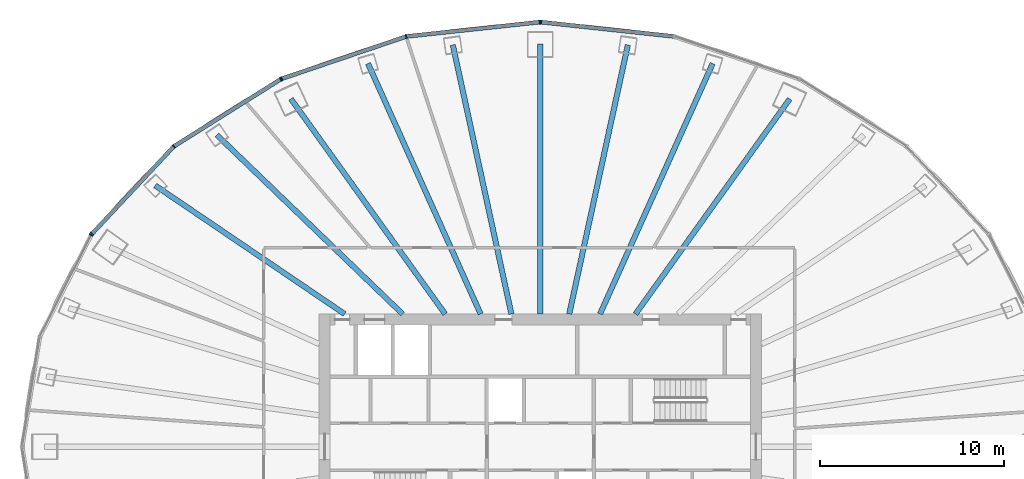
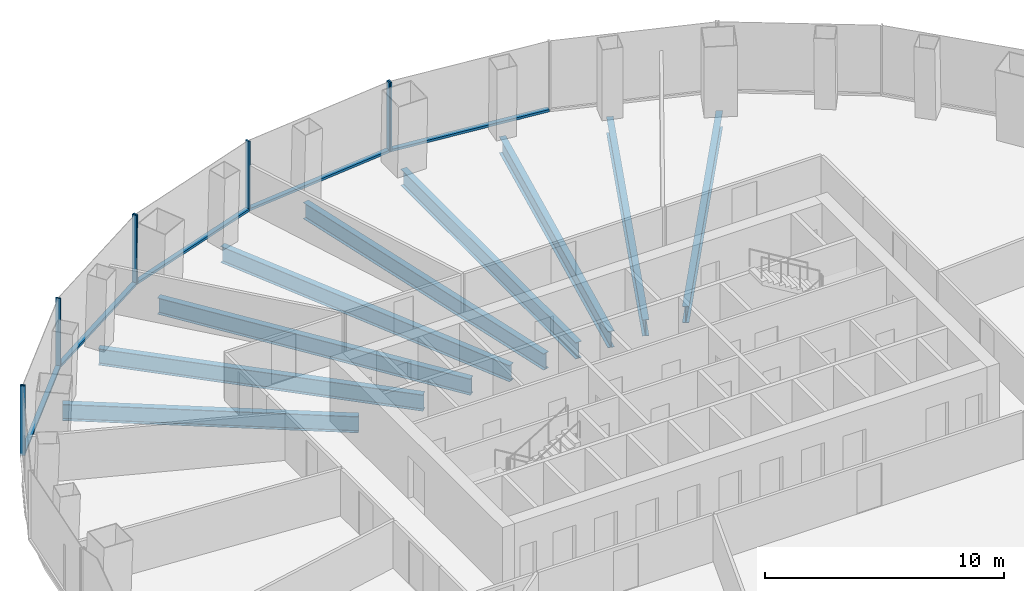
# One storey, part 5 of 11: 13 members, 9 beams, 4 elements without a shape of their own.
"""IFC4 building model written with IfcOpenShell, lengths in metres."""

from ifc_helpers import new_model, si_unit, direction, frame, origin, origin_2d, place, context, subcontext, project, spatial, rectangle, i_section, extrude, material, layer, layer_set, material_profile, profile_set, type_object, element, aggregate, save


model = new_model("IFC4")

# Units and contexts
model_context = context("Model", 3, precision=1e-05, world=origin(), true_north=direction((0.0, 1.0)))
body_context = subcontext(model_context, "Body", "Model", "MODEL_VIEW")
ifc_project = project(units=[si_unit("LENGTHUNIT", "METRE"), si_unit("AREAUNIT", "SQUARE_METRE"), si_unit("VOLUMEUNIT", "CUBIC_METRE"), si_unit("PLANEANGLEUNIT", "RADIAN"), si_unit("MASSUNIT", "GRAM", prefix="KILO")], contexts=[model_context])

# Site, building, storey
site_placement = place(None, origin())
site = spatial("IfcSite", under=ifc_project, at=site_placement, CompositionType="ELEMENT")
building_placement = place(site_placement, origin())
building = spatial("IfcBuilding", under=site, at=building_placement, Name="Siaravel Broadcast Tower", CompositionType="ELEMENT")
storey_placement = place(building_placement, frame((0.0, 0.0, 44.5)))
storey = spatial("IfcBuildingStorey", under=building, at=storey_placement, Name="L09", CompositionType="ELEMENT", Elevation=44.5)

# Beams
ifc_material_1 = material(Name="Steel S355", Category="steel")
ifc_material_profile_1 = material_profile(ifc_material_1, i_section(OverallWidth=0.291748046875, OverallDepth=0.8349609375, WebThickness=0.013916015625, FlangeThickness=0.018798828125, FilletRadius=0.017822265625, at=origin_2d()))
ifc_profile_set_1 = profile_set([ifc_material_profile_1], Name="Steel S355")
beam_type = type_object("IfcBeamType", Name="BM-UB 838x292x176", PredefinedType="BEAM", material=ifc_profile_set_1)
beam_1_placement = place(storey_placement, frame((13.53076171875, 18.869384765625, -0.5673828125), z_axis=(-0.582740953, -0.812657974, 0.0), x_axis=(0.812657974, -0.582740953, 0.0)))
element("IfcBeam", 1, at=beam_1_placement, inside=storey, type_object=beam_type, Name="Radial beam RB07", PredefinedType="BEAM", context=body_context, shape_type="SweptSolid", body=[
    extrude(i_section(OverallWidth=0.291748046875, OverallDepth=0.8349609375, WebThickness=0.013916015625, FlangeThickness=0.018798828125, FilletRadius=0.017822265625, at=origin_2d()), origin(), (0.0, 0.0, 1.0), 14.359619140625),
])
beam_2_placement = place(storey_placement, frame((9.3486328125, 20.787109375, -0.5673828125), z_axis=(-0.410162294, -0.912012551, 0.0), x_axis=(0.912012551, -0.410162294, 0.0)))
element("IfcBeam", 2, at=beam_2_placement, inside=storey, type_object=beam_type, Name="Radial beam RB08", PredefinedType="BEAM", context=body_context, shape_type="SweptSolid", body=[
    extrude(i_section(OverallWidth=0.291748046875, OverallDepth=0.8349609375, WebThickness=0.013916015625, FlangeThickness=0.018798828125, FilletRadius=0.017822265625, at=origin_2d()), origin(), (0.0, 0.0, 1.0), 14.89794921875),
])
beam_3_placement = place(storey_placement, frame((4.748291015625, 21.796630859375, -0.5673828125), z_axis=(-0.212844855, -0.977086008, 0.0), x_axis=(0.977086008, -0.212844855, 0.0)))
element("IfcBeam", 3, at=beam_3_placement, inside=storey, type_object=beam_type, Name="Radial beam RB09", PredefinedType="BEAM", context=body_context, shape_type="SweptSolid", body=[
    extrude(i_section(OverallWidth=0.291748046875, OverallDepth=0.8349609375, WebThickness=0.013916015625, FlangeThickness=0.018798828125, FilletRadius=0.017822265625, at=origin_2d()), origin(), (0.0, 0.0, 1.0), 14.93896484375),
])
beam_4_placement = place(storey_placement, frame((0.0, 21.8369140625, -0.5673828125), z_axis=(0.0, -1.0, 0.0), x_axis=(1.0, 0.0, 0.0)))
element("IfcBeam", 4, at=beam_4_placement, inside=storey, type_object=beam_type, Name="Radial beam RB10", PredefinedType="BEAM", context=body_context, shape_type="SweptSolid", body=[
    extrude(i_section(OverallWidth=0.291748046875, OverallDepth=0.8349609375, WebThickness=0.013916015625, FlangeThickness=0.018798828125, FilletRadius=0.017822265625, at=origin_2d()), origin(), (0.0, 0.0, 1.0), 14.636962890625),
])
beam_5_placement = place(storey_placement, frame((-4.748291015625, 21.796630859375, -0.5673828125), z_axis=(0.212844855, -0.977086008, 0.0), x_axis=(0.977086008, 0.212844855, 0.0)))
element("IfcBeam", 5, at=beam_5_placement, inside=storey, type_object=beam_type, Name="Radial beam RB11", PredefinedType="BEAM", context=body_context, shape_type="SweptSolid", body=[
    extrude(i_section(OverallWidth=0.291748046875, OverallDepth=0.8349609375, WebThickness=0.013916015625, FlangeThickness=0.018798828125, FilletRadius=0.017822265625, at=origin_2d()), origin(), (0.0, 0.0, 1.0), 14.93896484375),
])
beam_6_placement = place(storey_placement, frame((-9.3486328125, 20.787109375, -0.5673828125), z_axis=(0.410162294, -0.912012551, 0.0), x_axis=(0.912012551, 0.410162294, 0.0)))
element("IfcBeam", 6, at=beam_6_placement, inside=storey, type_object=beam_type, Name="Radial beam RB12", PredefinedType="BEAM", context=body_context, shape_type="SweptSolid", body=[
    extrude(i_section(OverallWidth=0.291748046875, OverallDepth=0.8349609375, WebThickness=0.013916015625, FlangeThickness=0.018798828125, FilletRadius=0.017822265625, at=origin_2d()), origin(), (0.0, 0.0, 1.0), 14.89794921875),
])
beam_7_placement = place(storey_placement, frame((-13.53076171875, 18.869384765625, -0.5673828125), z_axis=(0.582740953, -0.812657974, 0.0), x_axis=(0.812657974, 0.582740953, 0.0)))
element("IfcBeam", 7, at=beam_7_placement, inside=storey, type_object=beam_type, Name="Radial beam RB13", PredefinedType="BEAM", context=body_context, shape_type="SweptSolid", body=[
    extrude(i_section(OverallWidth=0.291748046875, OverallDepth=0.8349609375, WebThickness=0.013916015625, FlangeThickness=0.018798828125, FilletRadius=0.017822265625, at=origin_2d()), origin(), (0.0, 0.0, 1.0), 14.359619140625),
])
beam_8_placement = place(storey_placement, frame((-17.54638671875, 16.911376953125, -0.5673828125), z_axis=(0.720018614, -0.69395475, 0.0), x_axis=(0.69395475, 0.720018614, 0.0)))
element("IfcBeam", 8, at=beam_8_placement, inside=storey, type_object=beam_type, Name="Radial beam RB14", PredefinedType="BEAM", context=body_context, shape_type="SweptSolid", body=[
    extrude(i_section(OverallWidth=0.291748046875, OverallDepth=0.8349609375, WebThickness=0.013916015625, FlangeThickness=0.018798828125, FilletRadius=0.017822265625, at=origin_2d()), origin(), (0.0, 0.0, 1.0), 13.994384765625),
])
beam_9_placement = place(storey_placement, frame((-20.89208984375, 14.171142578125, -0.5673828125), z_axis=(0.827577543, -0.561351415, 0.0), x_axis=(0.561351415, 0.827577543, 0.0)))
element("IfcBeam", 9, at=beam_9_placement, inside=storey, type_object=beam_type, Name="Radial beam RB15", PredefinedType="BEAM", context=body_context, shape_type="SweptSolid", body=[
    extrude(i_section(OverallWidth=0.291748046875, OverallDepth=0.8349609375, WebThickness=0.013916015625, FlangeThickness=0.018798828125, FilletRadius=0.017822265625, at=origin_2d()), origin(), (0.0, 0.0, 1.0), 12.418701171875),
])

# Curtain wall, member
ifc_material_2 = material(Name="Aluminium 6063-T6", Category="aluminium")
ifc_layer = layer(ifc_material_2, 0.219970703125)
ifc_layer_set = layer_set([ifc_layer], Name="Aluminium 6063-T6")
curtain_wall_type = type_object("IfcCurtainWallType", Name="Unitised curtain wall, zone 1", PredefinedType="NOTDEFINED", material=ifc_layer_set)
curtain_wall_1_placement = place(storey_placement, origin())
curtain_wall_1 = element("IfcCurtainWall", 10, at=curtain_wall_1_placement, inside=storey, type_object=curtain_wall_type, Name="L09 Unitised curtain wall, zone 1 03", PredefinedType="NOTDEFINED")
ifc_material_profile_2 = material_profile(ifc_material_2, rectangle(XDim=0.219970703125, YDim=0.070068359375, at=origin_2d()))
ifc_profile_set_2 = profile_set([ifc_material_profile_2], Name="Aluminium 6063-T6")
member_type_1 = type_object("IfcMemberType", Name="CW-Z1 mullion", PredefinedType="MULLION", material=ifc_profile_set_2)
member_1_placement = place(storey_placement, frame((0.034912109375, 23.035400390625, 0.0), z_axis=(0.0, 0.0, 1.0), x_axis=(-0.107217509, -0.994235589, 0.0)))
member_1 = element("IfcMember", 11, at=member_1_placement, type_object=member_type_1, Name="CW-Z1 mullion 3", PredefinedType="MULLION", context=body_context, shape_type="SweptSolid", body=[
    extrude(rectangle(XDim=0.219970703125, YDim=0.070068359375, at=origin_2d()), origin(), (0.0, 0.0, 1.0), 3.550048828125),
])

# Curtain wall, members
curtain_wall_2_placement = place(storey_placement, origin())
curtain_wall_2 = element("IfcCurtainWall", 12, at=curtain_wall_2_placement, inside=storey, type_object=curtain_wall_type, Name="L09 Unitised curtain wall, zone 1 04", PredefinedType="NOTDEFINED")
member_2_placement = place(storey_placement, frame((-0.034912109375, 23.035400390625, 0.0), z_axis=(0.0, 0.0, 1.0), x_axis=(0.107217509, -0.994235589, 0.0)))
member_2 = element("IfcMember", 13, at=member_2_placement, type_object=member_type_1, Name="CW-Z1 mullion 1", PredefinedType="MULLION", context=body_context, shape_type="SweptSolid", body=[
    extrude(rectangle(XDim=0.219970703125, YDim=0.070068359375, at=origin_2d()), origin(), (0.0, 0.0, 1.0), 3.550048828125),
])
member_3_placement = place(storey_placement, frame((-7.27490234375, 22.2548828125, 0.0), z_axis=(0.0, 0.0, 1.0), x_axis=(0.215558083, -0.97649102, 0.0)))
member_3 = element("IfcMember", 14, at=member_3_placement, type_object=member_type_1, Name="CW-Z1 mullion 2", PredefinedType="MULLION", context=body_context, shape_type="SweptSolid", body=[
    extrude(rectangle(XDim=0.219970703125, YDim=0.070068359375, at=origin_2d()), origin(), (0.0, 0.0, 1.0), 3.550048828125),
])
member_4_placement = place(storey_placement, frame((-14.021240234375, 19.9658203125, 0.0), z_axis=(0.0, 0.0, 1.0), x_axis=(0.321300632, -0.946977246, 0.0)))
member_4 = element("IfcMember", 15, at=member_4_placement, type_object=member_type_1, Name="CW-Z1 mullion 3", PredefinedType="MULLION", context=body_context, shape_type="SweptSolid", body=[
    extrude(rectangle(XDim=0.219970703125, YDim=0.070068359375, at=origin_2d()), origin(), (0.0, 0.0, 1.0), 3.550048828125),
])

curtain_wall_3_placement = place(storey_placement, origin())
curtain_wall_3 = element("IfcCurtainWall", 16, at=curtain_wall_3_placement, inside=storey, type_object=curtain_wall_type, Name="L09 Unitised curtain wall, zone 1 05", PredefinedType="NOTDEFINED")
member_5_placement = place(storey_placement, frame((-14.083984375, 19.935791015625, 0.0), z_axis=(0.0, 0.0, 1.0), x_axis=(0.532149101, -0.846650657, 0.0)))
member_5 = element("IfcMember", 17, at=member_5_placement, type_object=member_type_1, Name="CW-Z1 mullion 1", PredefinedType="MULLION", context=body_context, shape_type="SweptSolid", body=[
    extrude(rectangle(XDim=0.219970703125, YDim=0.070068359375, at=origin_2d()), origin(), (0.0, 0.0, 1.0), 3.550048828125),
])
member_6_placement = place(storey_placement, frame((-19.87744140625, 16.294677734375, 0.0), z_axis=(0.0, 0.0, 1.0), x_axis=(0.63621841, -0.771508998, 0.0)))
member_6 = element("IfcMember", 18, at=member_6_placement, type_object=member_type_1, Name="CW-Z1 mullion 2", PredefinedType="MULLION", context=body_context, shape_type="SweptSolid", body=[
    extrude(rectangle(XDim=0.219970703125, YDim=0.070068359375, at=origin_2d()), origin(), (0.0, 0.0, 1.0), 3.550048828125),
])
member_7_placement = place(storey_placement, frame((-24.322998046875, 11.549072265625, 0.0), z_axis=(0.0, 0.0, 1.0), x_axis=(0.729804946, -0.683655426, 0.0)))
member_7 = element("IfcMember", 19, at=member_7_placement, type_object=member_type_1, Name="CW-Z1 mullion 3", PredefinedType="MULLION", context=body_context, shape_type="SweptSolid", body=[
    extrude(rectangle(XDim=0.219970703125, YDim=0.070068359375, at=origin_2d()), origin(), (0.0, 0.0, 1.0), 3.550048828125),
])

# Curtain wall, member
curtain_wall_4_placement = place(storey_placement, origin())
curtain_wall_4 = element("IfcCurtainWall", 20, at=curtain_wall_4_placement, inside=storey, type_object=curtain_wall_type, Name="L09 Unitised curtain wall, zone 1 06", PredefinedType="NOTDEFINED")
member_8_placement = place(storey_placement, frame((-24.362548828125, 11.4921875, 0.0), z_axis=(0.0, 0.0, 1.0), x_axis=(0.892391814, -0.451261399, 0.0)))
member_8 = element("IfcMember", 21, at=member_8_placement, type_object=member_type_1, Name="CW-Z1 mullion 1", PredefinedType="MULLION", context=body_context, shape_type="SweptSolid", body=[
    extrude(rectangle(XDim=0.219970703125, YDim=0.070068359375, at=origin_2d()), origin(), (0.0, 0.0, 1.0), 3.550048828125),
])
aggregate(curtain_wall_4, [member_8])

# Member
ifc_material_profile_3 = material_profile(ifc_material_2, rectangle(XDim=0.219970703125, YDim=0.1201171875, at=origin_2d()))
ifc_profile_set_3 = profile_set([ifc_material_profile_3], Name="Aluminium 6063-T6")
member_type_2 = type_object("IfcMemberType", Name="CW-Z1 transom", PredefinedType="USERDEFINED", material=ifc_profile_set_3)
member_9_placement = place(storey_placement, frame((7.239990234375, 22.258544921875, 0.06005859375), z_axis=(-0.994236438, 0.107209629, 0.0), x_axis=(-0.107209629, -0.994236438, 0.0)))
member_9 = element("IfcMember", 22, at=member_9_placement, type_object=member_type_2, Name="CW-Z1 transom 2", ObjectType="TRANSOM", PredefinedType="USERDEFINED", context=body_context, shape_type="SweptSolid", body=[
    extrude(rectangle(XDim=0.219970703125, YDim=0.1201171875, at=origin_2d()), origin(), (0.0, 0.0, 1.0), 7.2119140625),
])

aggregate(curtain_wall_1, [member_1, member_9])

member_10_placement = place(storey_placement, frame((-0.069580078125, 23.03173828125, 0.06005859375), z_axis=(-0.994236438, -0.107209629, 0.0), x_axis=(0.107209629, -0.994236438, 0.0)))
member_10 = element("IfcMember", 23, at=member_10_placement, type_object=member_type_2, Name="CW-Z1 transom 1", ObjectType="TRANSOM", PredefinedType="USERDEFINED", context=body_context, shape_type="SweptSolid", body=[
    extrude(rectangle(XDim=0.219970703125, YDim=0.1201171875, at=origin_2d()), origin(), (0.0, 0.0, 1.0), 7.2119140625),
])

member_11_placement = place(storey_placement, frame((-7.307861328125, 22.24365234375, 0.06005859375), z_axis=(-0.946973811, -0.321310754, 0.0), x_axis=(0.321310754, -0.946973811, 0.0)))
member_11 = element("IfcMember", 24, at=member_11_placement, type_object=member_type_2, Name="CW-Z1 transom 2", ObjectType="TRANSOM", PredefinedType="USERDEFINED", context=body_context, shape_type="SweptSolid", body=[
    extrude(rectangle(XDim=0.219970703125, YDim=0.1201171875, at=origin_2d()), origin(), (0.0, 0.0, 1.0), 7.05419921875),
])

aggregate(curtain_wall_2, [member_2, member_3, member_4, member_10, member_11])

member_12_placement = place(storey_placement, frame((-14.11376953125, 19.917236328125, 0.06005859375), z_axis=(-0.846656967, -0.532139062, 0.0), x_axis=(0.532139062, -0.846656967, 0.0)))
member_12 = element("IfcMember", 25, at=member_12_placement, type_object=member_type_2, Name="CW-Z1 transom 1", ObjectType="TRANSOM", PredefinedType="USERDEFINED", context=body_context, shape_type="SweptSolid", body=[
    extrude(rectangle(XDim=0.219970703125, YDim=0.1201171875, at=origin_2d()), origin(), (0.0, 0.0, 1.0), 6.772705078125),
])

member_13_placement = place(storey_placement, frame((-19.9013671875, 16.26904296875, 0.06005859375), z_axis=(-0.683654492, -0.72980582, 0.0), x_axis=(0.72980582, -0.683654492, 0.0)))
member_13 = element("IfcMember", 26, at=member_13_placement, type_object=member_type_2, Name="CW-Z1 transom 2", ObjectType="TRANSOM", PredefinedType="USERDEFINED", context=body_context, shape_type="SweptSolid", body=[
    extrude(rectangle(XDim=0.219970703125, YDim=0.1201171875, at=origin_2d()), origin(), (0.0, 0.0, 1.0), 6.4326171875),
])

aggregate(curtain_wall_3, [member_5, member_6, member_7, member_12, member_13])

save(model, "model.ifc")
